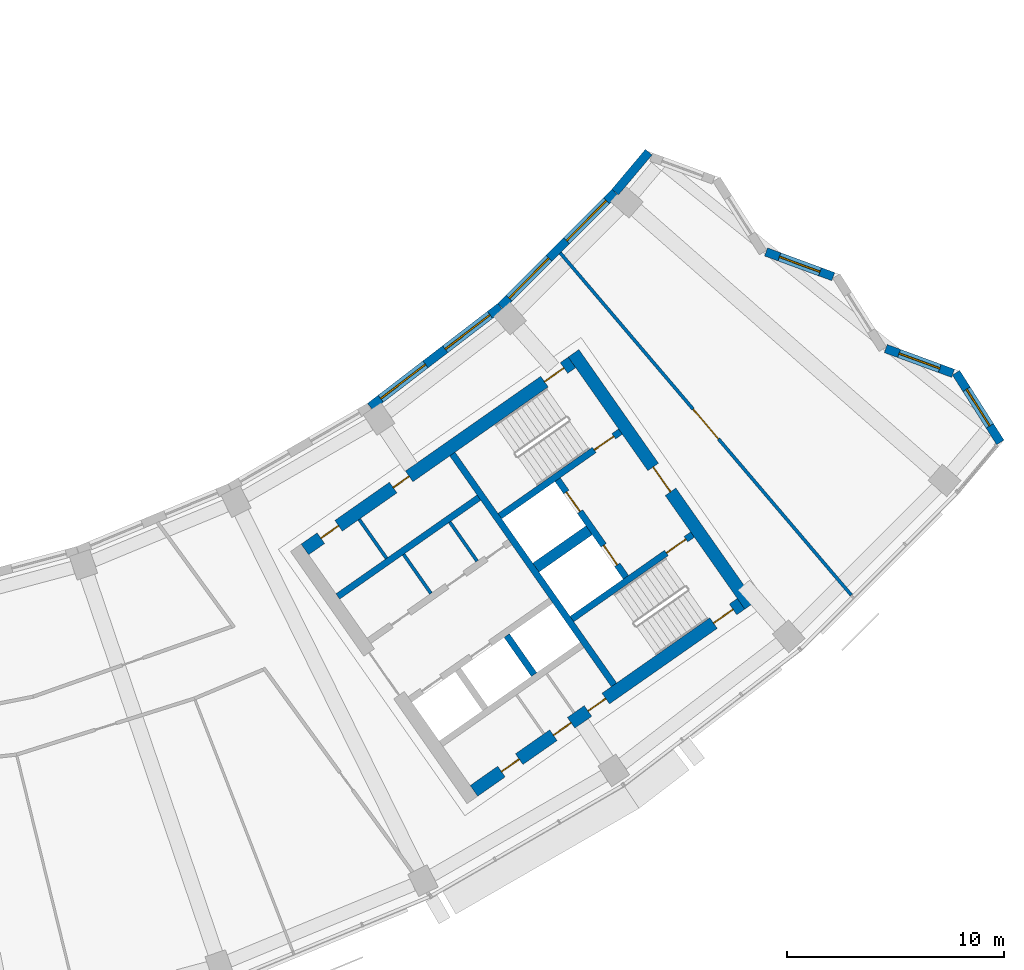
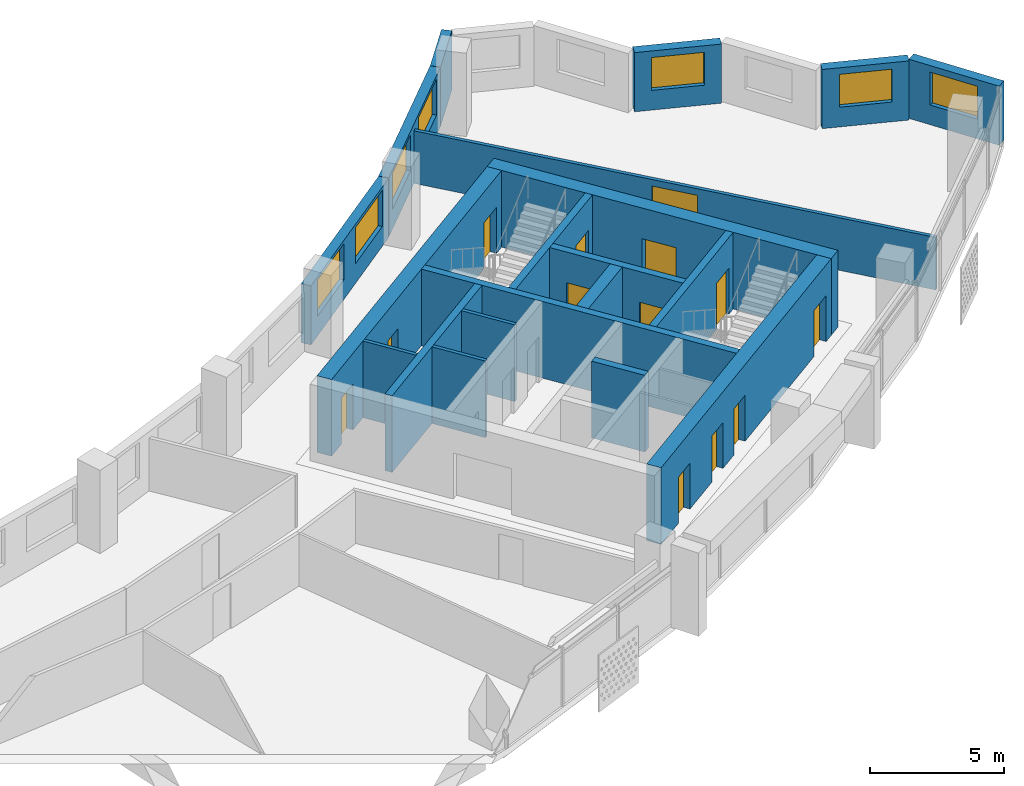
# One storey, part 7 of 27: 20 walls, 13 doors, 7 windows, 20 openings.
"""IFC4 building model written with IfcOpenShell, lengths in metres."""

from ifc_helpers import new_model, si_unit, direction, frame, frame_2d, origin, place, context, subcontext, project, spatial, rectangle, extrude, material, layer, layer_set, type_object, element, fill, save


model = new_model("IFC4")

# Units and contexts
model_context = context("Model", 3, precision=1e-05, world=origin(), true_north=direction((0.0, 1.0)))
body_context = subcontext(model_context, "Body", "Model", "MODEL_VIEW")
ifc_project = project(units=[si_unit("LENGTHUNIT", "METRE"), si_unit("AREAUNIT", "SQUARE_METRE"), si_unit("VOLUMEUNIT", "CUBIC_METRE"), si_unit("PLANEANGLEUNIT", "RADIAN"), si_unit("MASSUNIT", "GRAM", prefix="KILO")], contexts=[model_context])

# Site, building, storey
site_placement = place(None, origin())
site = spatial("IfcSite", under=ifc_project, at=site_placement, CompositionType="ELEMENT")
building_placement = place(site_placement, origin())
building = spatial("IfcBuilding", under=site, at=building_placement, Name="Qamariyya Broadcast Tower", CompositionType="ELEMENT")
storey_placement = place(building_placement, frame((0.0, 0.0, 237.89990234375)))
storey = spatial("IfcBuildingStorey", under=building, at=storey_placement, Name="L57", CompositionType="ELEMENT", Elevation=237.89990234375)

# Wall, opening, door
ifc_material_1 = material(Name="Concrete C60/75", Category="concrete")
ifc_layer_1 = layer(ifc_material_1, 0.60009765625)
ifc_layer_set_1 = layer_set([ifc_layer_1], Name="Core wall 600 mm Concrete C60/75")
wall_type_1 = type_object("IfcWallType", Name="Core wall 600 mm Concrete C60/75", PredefinedType="SHEAR", material=ifc_layer_set_1)
wall_1_placement = place(storey_placement, frame((49.4833984375, -57.031494140625, 0.0), z_axis=(0.0, 0.0, 1.0), x_axis=(-0.573560421458, 0.819163257805, 0.0)))
wall_1 = element("IfcWall", 1, at=wall_1_placement, inside=storey, type_object=wall_type_1, Name="k-E-L57-WH", PredefinedType="SHEAR", context=body_context, shape_type="SweptSolid", body=[
    extrude(rectangle(XDim=14.199951171875, YDim=0.60009765625, at=frame_2d((7.10009765625, 0.0))), origin(), (0.0, 0.0, 1.0), 3.5),
])
opening_1_placement = place(wall_1_placement, frame((6.39990234375, 0.0, 0.0)))
opening_1 = element("IfcOpeningElement", 2, at=opening_1_placement, cuts=wall_1, Name="Opening KD2-E1", PredefinedType="OPENING", context=body_context, shape_type="SweptSolid", body=[
    extrude(rectangle(XDim=1.39990234375, YDim=2.10009765625, at=frame_2d((0.699951171875, 1.050048828125))), frame((0.0, 0.31005859375, 0.0), z_axis=(0.0, -1.0, 0.0), x_axis=(1.0, 0.0, 0.0)), (0.0, 0.0, 1.0), 0.6201171875),
])
ifc_material_2 = material(Name="Steel fire-resisting door leaf", Category="steel")
door_type_1 = type_object("IfcDoorType", Name="Fire-fighting lobby door KD2", OperationType="DOUBLE_DOOR_SINGLE_SWING", PredefinedType="DOOR", material=ifc_material_2)
door_1_placement = place(opening_1_placement, origin())
door_1 = element("IfcDoor", 3, at=door_1_placement, inside=storey, type_object=door_type_1, Name="k-E-L57-WH-D14", OperationType="DOUBLE_DOOR_SINGLE_SWING", OverallHeight=2.10009765625, OverallWidth=1.39990234375, PredefinedType="DOOR", context=body_context, shape_type="SweptSolid", body=[
    extrude(rectangle(XDim=1.39990234375, YDim=2.10009765625, at=frame_2d((0.699951171875, 1.050048828125))), frame((0.0, 0.02490234375, 0.0), z_axis=(0.0, -1.0, 0.0), x_axis=(1.0, 0.0, 0.0)), (0.0, 0.0, 1.0), 0.050048828125),
])
fill(opening_1, door_1)

# Wall, openings, doors
wall_2_placement = place(storey_placement, frame((28.940673828125, -54.447021484375, 0.0), z_axis=(0.0, 0.0, 1.0), x_axis=(0.819153391756, 0.573574511963, 0.0)))
wall_2 = element("IfcWall", 4, at=wall_2_placement, inside=storey, type_object=wall_type_1, Name="k-E-L57-WI", PredefinedType="SHEAR", context=body_context, shape_type="SweptSolid", body=[
    extrude(rectangle(XDim=15.04541015625, YDim=0.60009765625, at=frame_2d((7.522705078125, 0.0))), origin(), (0.0, 0.0, 1.0), 3.5),
])
opening_2_placement = place(wall_2_placement, frame((0.89990234375, 0.0, 0.0)))
opening_2 = element("IfcOpeningElement", 5, at=opening_2_placement, cuts=wall_2, Name="Opening KD7-E1", PredefinedType="OPENING", context=body_context, shape_type="SweptSolid", body=[
    extrude(rectangle(XDim=1.0, YDim=2.10009765625, at=frame_2d((0.5, 1.050048828125))), frame((0.0, 0.31005859375, 0.0), z_axis=(0.0, -1.0, 0.0), x_axis=(1.0, 0.0, 0.0)), (0.0, 0.0, 1.0), 0.6201171875),
])
opening_3_placement = place(wall_2_placement, frame((4.97509765625, 0.0, 0.0)))
opening_3 = element("IfcOpeningElement", 6, at=opening_3_placement, cuts=wall_2, Name="Opening KD5-E1", PredefinedType="OPENING", context=body_context, shape_type="SweptSolid", body=[
    extrude(rectangle(XDim=0.89990234375, YDim=2.10009765625, at=frame_2d((0.449951171875, 1.050048828125))), frame((0.0, 0.31005859375, 0.0), z_axis=(0.0, -1.0, 0.0), x_axis=(1.0, 0.0, 0.0)), (0.0, 0.0, 1.0), 0.6201171875),
])
opening_4_placement = place(wall_2_placement, frame((13.495361328125, 0.0, 0.0)))
opening_4 = element("IfcOpeningElement", 7, at=opening_4_placement, cuts=wall_2, Name="Opening KD1-E1", PredefinedType="OPENING", context=body_context, shape_type="SweptSolid", body=[
    extrude(rectangle(XDim=1.10009765625, YDim=2.10009765625, at=frame_2d((0.550048828125, 1.050048828125))), frame((0.0, 0.31005859375, 0.0), z_axis=(0.0, -1.0, 0.0), x_axis=(1.0, 0.0, 0.0)), (0.0, 0.0, 1.0), 0.6201171875),
])
door_type_2 = type_object("IfcDoorType", Name="Accessible toilet door KD7", OperationType="SINGLE_SWING_LEFT", PredefinedType="DOOR", material=ifc_material_2)
door_2_placement = place(opening_2_placement, origin())
door_2 = element("IfcDoor", 8, at=door_2_placement, inside=storey, type_object=door_type_2, Name="k-E-L57-WI-D7", OperationType="SINGLE_SWING_LEFT", OverallHeight=2.10009765625, OverallWidth=1.0, PredefinedType="DOOR", context=body_context, shape_type="SweptSolid", body=[
    extrude(rectangle(XDim=1.0, YDim=2.10009765625, at=frame_2d((0.5, 1.050048828125))), frame((0.0, 0.02490234375, 0.0), z_axis=(0.0, -1.0, 0.0), x_axis=(1.0, 0.0, 0.0)), (0.0, 0.0, 1.0), 0.050048828125),
])
fill(opening_2, door_2)
door_type_3 = type_object("IfcDoorType", Name="Stair door KD1", OperationType="SINGLE_SWING_LEFT", PredefinedType="DOOR", material=ifc_material_2)
door_3_placement = place(opening_4_placement, origin())
door_3 = element("IfcDoor", 9, at=door_3_placement, inside=storey, type_object=door_type_3, Name="k-E-L57-WI-D15", OperationType="SINGLE_SWING_RIGHT", OverallHeight=2.10009765625, OverallWidth=1.10009765625, PredefinedType="DOOR", context=body_context, shape_type="SweptSolid", body=[
    extrude(rectangle(XDim=1.10009765625, YDim=2.10009765625, at=frame_2d((0.550048828125, 1.050048828125))), frame((0.0, 0.02490234375, 0.0), z_axis=(0.0, -1.0, 0.0), x_axis=(1.0, 0.0, 0.0)), (0.0, 0.0, 1.0), 0.050048828125),
])
fill(opening_4, door_3)
door_type_4 = type_object("IfcDoorType", Name="Toilet door KD5", OperationType="SINGLE_SWING_LEFT", PredefinedType="DOOR", material=ifc_material_2)
door_4_placement = place(opening_3_placement, origin())
door_4 = element("IfcDoor", 10, at=door_4_placement, inside=storey, type_object=door_type_4, Name="k-E-L57-WI-D8", OperationType="SINGLE_SWING_RIGHT", OverallHeight=2.10009765625, OverallWidth=0.89990234375, PredefinedType="DOOR", context=body_context, shape_type="SweptSolid", body=[
    extrude(rectangle(XDim=0.89990234375, YDim=2.10009765625, at=frame_2d((0.449951171875, 1.050048828125))), frame((0.0, 0.02490234375, 0.0), z_axis=(0.0, -1.0, 0.0), x_axis=(1.0, 0.0, 0.0)), (0.0, 0.0, 1.0), 0.050048828125),
])
fill(opening_3, door_4)

wall_3_placement = place(storey_placement, frame((36.7412109375, -65.58740234375, 0.0), z_axis=(0.0, 0.0, 1.0), x_axis=(0.819153391756, 0.573574511963, 0.0)))
wall_3 = element("IfcWall", 11, at=wall_3_placement, inside=storey, type_object=wall_type_1, Name="k-E-L57-WO", PredefinedType="SHEAR", context=body_context, shape_type="SweptSolid", body=[
    extrude(rectangle(XDim=15.04541015625, YDim=0.60009765625, at=frame_2d((7.522705078125, 0.0))), origin(), (0.0, 0.0, 1.0), 3.5),
])
opening_5_placement = place(wall_3_placement, frame((1.550048828125, 0.0, 0.0)))
opening_5 = element("IfcOpeningElement", 12, at=opening_5_placement, cuts=wall_3, Name="Opening KD4-E2", PredefinedType="OPENING", context=body_context, shape_type="SweptSolid", body=[
    extrude(rectangle(XDim=1.0, YDim=2.10009765625, at=frame_2d((0.5, 1.050048828125))), frame((0.0, 0.31005859375, 0.0), z_axis=(0.0, -1.0, 0.0), x_axis=(1.0, 0.0, 0.0)), (0.0, 0.0, 1.0), 0.6201171875),
])
opening_6_placement = place(wall_3_placement, frame((4.47509765625, 0.0, 0.0)))
opening_6 = element("IfcOpeningElement", 13, at=opening_6_placement, cuts=wall_3, Name="Opening KD4-E3", PredefinedType="OPENING", context=body_context, shape_type="SweptSolid", body=[
    extrude(rectangle(XDim=1.0, YDim=2.10009765625, at=frame_2d((0.5, 1.050048828125))), frame((0.0, 0.31005859375, 0.0), z_axis=(0.0, -1.0, 0.0), x_axis=(1.0, 0.0, 0.0)), (0.0, 0.0, 1.0), 0.6201171875),
])
opening_7_placement = place(wall_3_placement, frame((6.425048828125, 0.0, 0.0)))
opening_7 = element("IfcOpeningElement", 14, at=opening_7_placement, cuts=wall_3, Name="Opening KD4-E4", PredefinedType="OPENING", context=body_context, shape_type="SweptSolid", body=[
    extrude(rectangle(XDim=1.0, YDim=2.10009765625, at=frame_2d((0.5, 1.050048828125))), frame((0.0, 0.31005859375, 0.0), z_axis=(0.0, -1.0, 0.0), x_axis=(1.0, 0.0, 0.0)), (0.0, 0.0, 1.0), 0.6201171875),
])
opening_8_placement = place(wall_3_placement, frame((13.495361328125, 0.0, 0.0)))
opening_8 = element("IfcOpeningElement", 15, at=opening_8_placement, cuts=wall_3, Name="Opening KD1-E3", PredefinedType="OPENING", context=body_context, shape_type="SweptSolid", body=[
    extrude(rectangle(XDim=1.10009765625, YDim=2.10009765625, at=frame_2d((0.550048828125, 1.050048828125))), frame((0.0, 0.31005859375, 0.0), z_axis=(0.0, -1.0, 0.0), x_axis=(1.0, 0.0, 0.0)), (0.0, 0.0, 1.0), 0.6201171875),
])
door_type_5 = type_object("IfcDoorType", Name="Riser and plant door KD4", OperationType="SINGLE_SWING_LEFT", PredefinedType="DOOR", material=ifc_material_2)
door_5_placement = place(opening_5_placement, origin())
door_5 = element("IfcDoor", 16, at=door_5_placement, inside=storey, type_object=door_type_5, Name="k-E-L57-WO-D9", OperationType="SINGLE_SWING_LEFT", OverallHeight=2.10009765625, OverallWidth=1.0, PredefinedType="DOOR", context=body_context, shape_type="SweptSolid", body=[
    extrude(rectangle(XDim=1.0, YDim=2.10009765625, at=frame_2d((0.5, 1.050048828125))), frame((0.0, 0.02490234375, 0.0), z_axis=(0.0, -1.0, 0.0), x_axis=(1.0, 0.0, 0.0)), (0.0, 0.0, 1.0), 0.050048828125),
])
fill(opening_5, door_5)
door_6_placement = place(opening_6_placement, origin())
door_6 = element("IfcDoor", 17, at=door_6_placement, inside=storey, type_object=door_type_5, Name="k-E-L57-WO-D10", OperationType="SINGLE_SWING_RIGHT", OverallHeight=2.10009765625, OverallWidth=1.0, PredefinedType="DOOR", context=body_context, shape_type="SweptSolid", body=[
    extrude(rectangle(XDim=1.0, YDim=2.10009765625, at=frame_2d((0.5, 1.050048828125))), frame((0.0, 0.02490234375, 0.0), z_axis=(0.0, -1.0, 0.0), x_axis=(1.0, 0.0, 0.0)), (0.0, 0.0, 1.0), 0.050048828125),
])
fill(opening_6, door_6)
door_7_placement = place(opening_7_placement, origin())
door_7 = element("IfcDoor", 18, at=door_7_placement, inside=storey, type_object=door_type_5, Name="k-E-L57-WO-D11", OperationType="SINGLE_SWING_LEFT", OverallHeight=2.10009765625, OverallWidth=1.0, PredefinedType="DOOR", context=body_context, shape_type="SweptSolid", body=[
    extrude(rectangle(XDim=1.0, YDim=2.10009765625, at=frame_2d((0.5, 1.050048828125))), frame((0.0, 0.02490234375, 0.0), z_axis=(0.0, -1.0, 0.0), x_axis=(1.0, 0.0, 0.0)), (0.0, 0.0, 1.0), 0.050048828125),
])
fill(opening_7, door_7)
door_8_placement = place(opening_8_placement, origin())
door_8 = element("IfcDoor", 19, at=door_8_placement, inside=storey, type_object=door_type_3, Name="k-E-L57-WO-D17", OperationType="SINGLE_SWING_LEFT", OverallHeight=2.10009765625, OverallWidth=1.10009765625, PredefinedType="DOOR", context=body_context, shape_type="SweptSolid", body=[
    extrude(rectangle(XDim=1.10009765625, YDim=2.10009765625, at=frame_2d((0.550048828125, 1.050048828125))), frame((0.0, 0.02490234375, 0.0), z_axis=(0.0, -1.0, 0.0), x_axis=(1.0, 0.0, 0.0)), (0.0, 0.0, 1.0), 0.050048828125),
])
fill(opening_8, door_8)

# Wall, opening, door
ifc_material_3 = material(Name="Gypsum board partition")
ifc_layer_2 = layer(ifc_material_3, 0.14990234375)
ifc_layer_set_2 = layer_set([ifc_layer_2], Name="Corridor partition 150 EI 60")
wall_type_2 = type_object("IfcWallType", Name="Corridor partition 150 EI 60", PredefinedType="PARTITIONING", material=ifc_layer_set_2)
wall_4_placement = place(storey_placement, frame((40.724853515625, -40.7705078125, 0.0), z_axis=(0.0, 0.0, 1.0), x_axis=(0.647962636986, -0.761672121762, 0.0)))
wall_4 = element("IfcWall", 20, at=wall_4_placement, inside=storey, type_object=wall_type_2, Name="Partition L57-029", PredefinedType="PARTITIONING", context=body_context, shape_type="SweptSolid", body=[
    extrude(rectangle(XDim=20.723388671875, YDim=0.14990234375, at=frame_2d((10.36181640625, 0.0))), origin(), (0.0, 0.0, 1.0), 2.400146484375),
])
opening_9_placement = place(wall_4_placement, frame((9.461669921875, 0.0, 0.0)))
opening_9 = element("IfcOpeningElement", 21, at=opening_9_placement, cuts=wall_4, Name="Opening L57-D14", PredefinedType="OPENING", context=body_context, shape_type="SweptSolid", body=[
    extrude(rectangle(XDim=1.800048828125, YDim=2.10009765625, at=frame_2d((0.89990234375, 1.050048828125))), frame((0.0, 0.0849609375, 0.0), z_axis=(0.0, -1.0, 0.0), x_axis=(1.0, 0.0, 0.0)), (0.0, 0.0, 1.0), 0.169921875),
])
ifc_material_4 = material(Name="Timber fire door leaf", Category="wood")
door_type_6 = type_object("IfcDoorType", Name="Double fire door 1800 x 2100 FD60", OperationType="NOTDEFINED", PredefinedType="DOOR", material=ifc_material_4)
door_9_placement = place(opening_9_placement, origin())
door_9 = element("IfcDoor", 22, at=door_9_placement, inside=storey, type_object=door_type_6, Name="Door L57-D14", OperationType="DOUBLE_DOOR_SINGLE_SWING", OverallHeight=2.10009765625, OverallWidth=1.800048828125, PredefinedType="DOOR", context=body_context, shape_type="SweptSolid", body=[
    extrude(rectangle(XDim=1.800048828125, YDim=2.10009765625, at=frame_2d((0.89990234375, 1.050048828125))), frame((0.0, 0.02490234375, 0.0), z_axis=(0.0, -1.0, 0.0), x_axis=(1.0, 0.0, 0.0)), (0.0, 0.0, 1.0), 0.050048828125),
])
fill(opening_9, door_9)

# Walls
ifc_layer_3 = layer(ifc_material_1, 0.5)
ifc_layer_set_3 = layer_set([ifc_layer_3], Name="Fire-fighting lobby divider wall 500 mm Concrete C60/75")
wall_type_3 = type_object("IfcWallType", Name="Fire-fighting lobby divider wall 500 mm Concrete C60/75", PredefinedType="SOLIDWALL", material=ifc_layer_set_3)
wall_5_placement = place(storey_placement, frame((39.59912109375, -55.28515625, 0.0), z_axis=(0.0, 0.0, 1.0), x_axis=(0.819136323161, 0.573598887793, 0.0)))
element("IfcWall", 23, at=wall_5_placement, inside=storey, type_object=wall_type_3, Name="k-E-L57-FD", PredefinedType="SOLIDWALL", context=body_context, shape_type="SweptSolid", body=[
    extrude(rectangle(XDim=2.999755859375, YDim=0.5, at=frame_2d((1.5, 0.0))), origin(), (0.0, 0.0, 1.0), 3.5),
])
ifc_material_5 = material(Name="Gypsum board partition on steel studs", Category="steel")
ifc_layer_4 = layer(ifc_material_5, 0.14990234375)
ifc_layer_set_4 = layer_set([ifc_layer_4], Name="Gypsum board partition 150 mm")
wall_type_4 = type_object("IfcWallType", Name="Gypsum board partition 150 mm", PredefinedType="PARTITIONING", material=ifc_layer_set_4)
for number, where, z_axis, x_axis, name in (
    (24, (34.757568359375, -56.477783203125, 0.0), (0.0, 0.0, 1.0), (-0.573633636671, 0.819111989218, 0.0), "k-E-L57-NC360"),
    (25, (36.88720703125, -54.986572265625, 0.0), (0.0, 0.0, 1.0), (-0.573507030513, 0.819200638399, 0.0), "k-E-L57-NC620"),
    (26, (32.709228515625, -54.860107421875, 0.0), (0.0, 0.0, 1.0), (-0.573633636671, 0.819111989218, 0.0), "k-E-L57-NP285"),
):
    element("IfcWall", number, at=place(storey_placement, frame(where, z_axis=z_axis, x_axis=x_axis)), inside=storey, type_object=wall_type_4, Name=name, PredefinedType="PARTITIONING", context=body_context, shape_type="SweptSolid", body=[
        extrude(rectangle(XDim=2.199951171875, YDim=0.14990234375, at=frame_2d((1.10009765625, 0.0))), origin(), (0.0, 0.0, 1.0), 3.5),
    ])
ifc_layer_5 = layer(ifc_material_1, 0.300048828125)
ifc_layer_set_5 = layer_set([ifc_layer_5], Name="Lift shaft wall 300 mm Concrete C60/75")
wall_type_5 = type_object("IfcWallType", Name="Lift shaft wall 300 mm Concrete C60/75", PredefinedType="SOLIDWALL", material=ifc_layer_set_5)
wall_6_placement = place(storey_placement, frame((43.204345703125, -60.69580078125, 0.0), z_axis=(0.0, 0.0, 1.0), x_axis=(-0.573571992966, 0.819155155563, 0.0)))
element("IfcWall", 27, at=wall_6_placement, inside=storey, type_object=wall_type_5, Name="k-E-L57-WL", PredefinedType="SOLIDWALL", context=body_context, shape_type="SweptSolid", body=[
    extrude(rectangle(XDim=13.000244140625, YDim=0.300048828125, at=frame_2d((6.5, 0.0))), origin(), (0.0, 0.0, 1.0), 3.5),
])
wall_7_placement = place(storey_placement, frame((30.460693359375, -56.61767578125, 0.0), z_axis=(0.0, 0.0, 1.0), x_axis=(0.819142461705, 0.573590121456, 0.0)))
element("IfcWall", 28, at=wall_7_placement, inside=storey, type_object=wall_type_5, Name="k-E-L57-NB0", PredefinedType="SOLIDWALL", context=body_context, shape_type="SweptSolid", body=[
    extrude(rectangle(XDim=7.949951171875, YDim=0.300048828125, at=frame_2d((3.97509765625, 0.0))), origin(), (0.0, 0.0, 1.0), 3.5),
])
wall_8_placement = place(storey_placement, frame((38.255859375, -58.423095703125, 0.0), z_axis=(0.0, 0.0, 1.0), x_axis=(0.573633636671, -0.819111989218, 0.0)))
element("IfcWall", 29, at=wall_8_placement, inside=storey, type_object=wall_type_5, Name="k-E-L57-SD1", PredefinedType="SOLIDWALL", context=body_context, shape_type="SweptSolid", body=[
    extrude(rectangle(XDim=2.199951171875, YDim=0.300048828125, at=frame_2d((1.10009765625, 0.0))), origin(), (0.0, 0.0, 1.0), 3.5),
])

# Wall, opening, door
wall_9_placement = place(storey_placement, frame((37.935546875, -52.90966796875, 0.0), z_axis=(0.0, 0.0, 1.0), x_axis=(0.819147518138, 0.57358290031, 0.0)))
wall_9 = element("IfcWall", 30, at=wall_9_placement, inside=storey, type_object=wall_type_5, Name="k-E-L57-NW", PredefinedType="SOLIDWALL", context=body_context, shape_type="SweptSolid", body=[
    extrude(rectangle(XDim=6.79541015625, YDim=0.300048828125, at=frame_2d((3.397705078125, 0.0))), origin(), (0.0, 0.0, 1.0), 3.5),
])
opening_10_placement = place(wall_9_placement, frame((5.3203125, 0.0, 0.0)))
opening_10 = element("IfcOpeningElement", 31, at=opening_10_placement, cuts=wall_9, Name="Opening KD1-E2", PredefinedType="OPENING", context=body_context, shape_type="SweptSolid", body=[
    extrude(rectangle(XDim=1.10009765625, YDim=2.10009765625, at=frame_2d((0.550048828125, 1.050048828125))), frame((0.0, 0.159912109375, 0.0), z_axis=(0.0, -1.0, 0.0), x_axis=(1.0, 0.0, 0.0)), (0.0, 0.0, 1.0), 0.320068359375),
])
door_10_placement = place(opening_10_placement, origin())
door_10 = element("IfcDoor", 32, at=door_10_placement, inside=storey, type_object=door_type_3, Name="k-E-L57-NW-D16", OperationType="SINGLE_SWING_RIGHT", OverallHeight=2.10009765625, OverallWidth=1.10009765625, PredefinedType="DOOR", context=body_context, shape_type="SweptSolid", body=[
    extrude(rectangle(XDim=1.10009765625, YDim=2.10009765625, at=frame_2d((0.550048828125, 1.050048828125))), frame((0.0, 0.02490234375, 0.0), z_axis=(0.0, -1.0, 0.0), x_axis=(1.0, 0.0, 0.0)), (0.0, 0.0, 1.0), 0.050048828125),
])
fill(opening_10, door_10)

wall_10_placement = place(storey_placement, frame((41.262451171875, -57.66064453125, 0.0), z_axis=(0.0, 0.0, 1.0), x_axis=(0.819164398642, 0.573558792102, 0.0)))
wall_10 = element("IfcWall", 33, at=wall_10_placement, inside=storey, type_object=wall_type_5, Name="k-E-L57-SW", PredefinedType="SOLIDWALL", context=body_context, shape_type="SweptSolid", body=[
    extrude(rectangle(XDim=6.795166015625, YDim=0.300048828125, at=frame_2d((3.3974609375, 0.0))), origin(), (0.0, 0.0, 1.0), 3.5),
])
opening_11_placement = place(wall_10_placement, frame((5.3203125, 0.0, 0.0)))
opening_11 = element("IfcOpeningElement", 34, at=opening_11_placement, cuts=wall_10, Name="Opening KD1-E4", PredefinedType="OPENING", context=body_context, shape_type="SweptSolid", body=[
    extrude(rectangle(XDim=1.10009765625, YDim=2.10009765625, at=frame_2d((0.550048828125, 1.050048828125))), frame((0.0, 0.159912109375, 0.0), z_axis=(0.0, -1.0, 0.0), x_axis=(1.0, 0.0, 0.0)), (0.0, 0.0, 1.0), 0.320068359375),
])
door_11_placement = place(opening_11_placement, origin())
door_11 = element("IfcDoor", 35, at=door_11_placement, inside=storey, type_object=door_type_3, Name="k-E-L57-SW-D18", OperationType="SINGLE_SWING_RIGHT", OverallHeight=2.10009765625, OverallWidth=1.10009765625, PredefinedType="DOOR", context=body_context, shape_type="SweptSolid", body=[
    extrude(rectangle(XDim=1.10009765625, YDim=2.10009765625, at=frame_2d((0.550048828125, 1.050048828125))), frame((0.0, 0.02490234375, 0.0), z_axis=(0.0, -1.0, 0.0), x_axis=(1.0, 0.0, 0.0)), (0.0, 0.0, 1.0), 0.050048828125),
])
fill(opening_11, door_11)

# Wall, openings, doors
wall_11_placement = place(storey_placement, frame((43.756591796875, -55.731201171875, 0.0), z_axis=(0.0, 0.0, 1.0), x_axis=(-0.573536818435, 0.819179783625, 0.0)))
wall_11 = element("IfcWall", 36, at=wall_11_placement, inside=storey, type_object=wall_type_5, Name="k-E-L57-FF", PredefinedType="SOLIDWALL", context=body_context, shape_type="SweptSolid", body=[
    extrude(rectangle(XDim=5.500244140625, YDim=0.300048828125, at=frame_2d((2.75, 0.0))), origin(), (0.0, 0.0, 1.0), 3.5),
])
opening_12_placement = place(wall_11_placement, frame((0.699951171875, 0.0, 0.0)))
opening_12 = element("IfcOpeningElement", 37, at=opening_12_placement, cuts=wall_11, Name="Opening LD", PredefinedType="OPENING", context=body_context, shape_type="SweptSolid", body=[
    extrude(rectangle(XDim=1.10009765625, YDim=2.10009765625, at=frame_2d((0.550048828125, 1.050048828125))), frame((0.0, 0.159912109375, 0.0), z_axis=(0.0, -1.0, 0.0), x_axis=(1.0, 0.0, 0.0)), (0.0, 0.0, 1.0), 0.320068359375),
])
opening_13_placement = place(wall_11_placement, frame((3.699951171875, 0.0, 0.0)))
opening_13 = element("IfcOpeningElement", 38, at=opening_13_placement, cuts=wall_11, Name="Opening LD", PredefinedType="OPENING", context=body_context, shape_type="SweptSolid", body=[
    extrude(rectangle(XDim=1.10009765625, YDim=2.10009765625, at=frame_2d((0.550048828125, 1.050048828125))), frame((0.0, 0.159912109375, 0.0), z_axis=(0.0, -1.0, 0.0), x_axis=(1.0, 0.0, 0.0)), (0.0, 0.0, 1.0), 0.320068359375),
])
door_type_7 = type_object("IfcDoorType", Name="Lift landing door LD", OperationType="DOUBLE_DOOR_SLIDING", PredefinedType="DOOR", material=ifc_material_2)
door_12_placement = place(opening_12_placement, origin())
door_12 = element("IfcDoor", 39, at=door_12_placement, inside=storey, type_object=door_type_7, Name="k-E-L57-FF-D12", OperationType="DOUBLE_DOOR_SLIDING", OverallHeight=2.10009765625, OverallWidth=1.10009765625, PredefinedType="DOOR", context=body_context, shape_type="SweptSolid", body=[
    extrude(rectangle(XDim=1.10009765625, YDim=2.10009765625, at=frame_2d((0.550048828125, 1.050048828125))), frame((0.0, 0.02490234375, 0.0), z_axis=(0.0, -1.0, 0.0), x_axis=(1.0, 0.0, 0.0)), (0.0, 0.0, 1.0), 0.050048828125),
])
fill(opening_12, door_12)
door_13_placement = place(opening_13_placement, origin())
door_13 = element("IfcDoor", 40, at=door_13_placement, inside=storey, type_object=door_type_7, Name="k-E-L57-FF-D13", OperationType="DOUBLE_DOOR_SLIDING", OverallHeight=2.10009765625, OverallWidth=1.10009765625, PredefinedType="DOOR", context=body_context, shape_type="SweptSolid", body=[
    extrude(rectangle(XDim=1.10009765625, YDim=2.10009765625, at=frame_2d((0.550048828125, 1.050048828125))), frame((0.0, 0.02490234375, 0.0), z_axis=(0.0, -1.0, 0.0), x_axis=(1.0, 0.0, 0.0)), (0.0, 0.0, 1.0), 0.050048828125),
])
fill(opening_13, door_13)

# Wall, opening, window
ifc_material_6 = material(Name="Terracotta", Category="masonry")
ifc_layer_6 = layer(ifc_material_6, 0.39990234375)
ifc_layer_set_6 = layer_set([ifc_layer_6], Name="Terracotta clad wall 400")
wall_type_6 = type_object("IfcWallType", Name="Terracotta clad wall 400", PredefinedType="SOLIDWALL", material=ifc_layer_set_6)
wall_12_placement = place(storey_placement, frame((61.029296875, -49.510009765625, 0.0), z_axis=(0.0, 0.0, 1.0), x_axis=(-0.536688842053, 0.84378023609, 0.0)))
wall_12 = element("IfcWall", 41, at=wall_12_placement, inside=storey, type_object=wall_type_6, Name="e-wl-L57-capE0", PredefinedType="SOLIDWALL", context=body_context, shape_type="SweptSolid", body=[
    extrude(rectangle(XDim=3.808837890625, YDim=0.39990234375, at=frame_2d((1.904296875, 0.0))), origin(), (0.0, 0.0, 1.0), 2.7001953125),
])
opening_14_placement = place(wall_12_placement, frame((0.904296875, 0.0, 0.89990234375)))
opening_14 = element("IfcOpeningElement", 42, at=opening_14_placement, cuts=wall_12, Name="Opening W4", PredefinedType="OPENING", context=body_context, shape_type="SweptSolid", body=[
    extrude(rectangle(XDim=2.0, YDim=1.5, at=frame_2d((1.0, 0.75))), frame((0.0, 0.2099609375, 0.0), z_axis=(0.0, -1.0, 0.0), x_axis=(1.0, 0.0, 0.0)), (0.0, 0.0, 1.0), 0.419921875),
])
ifc_material_7 = material(Name="Clear low-e double glazed unit in aluminium frame", Category="aluminium")
window_type_1 = type_object("IfcWindowType", Name="Horn bay window 2000 x 1500", PartitioningType="SINGLE_PANEL", PredefinedType="WINDOW", material=ifc_material_7)
window_1_placement = place(opening_14_placement, origin())
window_1 = element("IfcWindow", 43, at=window_1_placement, inside=storey, type_object=window_type_1, Name="e-w-L57-capE0", OverallHeight=1.5, OverallWidth=2.0, PartitioningType="SINGLE_PANEL", PredefinedType="WINDOW", context=body_context, shape_type="SweptSolid", body=[
    extrude(rectangle(XDim=2.0, YDim=1.5, at=frame_2d((1.0, 0.75))), frame((0.0, 0.030029296875, 0.0), z_axis=(0.0, -1.0, 0.0), x_axis=(1.0, 0.0, 0.0)), (0.0, 0.0, 1.0), 0.06005859375),
])
fill(opening_14, window_1)

wall_13_placement = place(storey_placement, frame((58.846435546875, -46.32275390625, 0.0), z_axis=(0.0, 0.0, 1.0), x_axis=(-0.938547240724, 0.345150803172, 0.0)))
wall_13 = element("IfcWall", 44, at=wall_13_placement, inside=storey, type_object=wall_type_6, Name="e-wl-L57-capE1", PredefinedType="SOLIDWALL", context=body_context, shape_type="SweptSolid", body=[
    extrude(rectangle(XDim=3.305419921875, YDim=0.39990234375, at=frame_2d((1.65283203125, 0.0))), origin(), (0.0, 0.0, 1.0), 2.7001953125),
])
opening_15_placement = place(wall_13_placement, frame((0.652587890625, 0.0, 0.89990234375)))
opening_15 = element("IfcOpeningElement", 45, at=opening_15_placement, cuts=wall_13, Name="Opening W4", PredefinedType="OPENING", context=body_context, shape_type="SweptSolid", body=[
    extrude(rectangle(XDim=2.0, YDim=1.5, at=frame_2d((1.0, 0.75))), frame((0.0, 0.2099609375, 0.0), z_axis=(0.0, -1.0, 0.0), x_axis=(1.0, 0.0, 0.0)), (0.0, 0.0, 1.0), 0.419921875),
])
window_2_placement = place(opening_15_placement, origin())
window_2 = element("IfcWindow", 46, at=window_2_placement, inside=storey, type_object=window_type_1, Name="e-w-L57-capE1", OverallHeight=1.5, OverallWidth=2.0, PartitioningType="SINGLE_PANEL", PredefinedType="WINDOW", context=body_context, shape_type="SweptSolid", body=[
    extrude(rectangle(XDim=2.0, YDim=1.5, at=frame_2d((1.0, 0.75))), frame((0.0, 0.030029296875, 0.0), z_axis=(0.0, -1.0, 0.0), x_axis=(1.0, 0.0, 0.0)), (0.0, 0.0, 1.0), 0.06005859375),
])
fill(opening_15, window_2)

wall_14_placement = place(storey_placement, frame((53.321044921875, -41.862548828125, 0.0), z_axis=(0.0, 0.0, 1.0), x_axis=(-0.938559901331, 0.345116374015, 0.0)))
wall_14 = element("IfcWall", 47, at=wall_14_placement, inside=storey, type_object=wall_type_6, Name="e-wl-L57-capE3", PredefinedType="SOLIDWALL", context=body_context, shape_type="SweptSolid", body=[
    extrude(rectangle(XDim=3.304443359375, YDim=0.39990234375, at=frame_2d((1.65234375, 0.0))), origin(), (0.0, 0.0, 1.0), 2.7001953125),
])
opening_16_placement = place(wall_14_placement, frame((0.652099609375, 0.0, 0.89990234375)))
opening_16 = element("IfcOpeningElement", 48, at=opening_16_placement, cuts=wall_14, Name="Opening W4", PredefinedType="OPENING", context=body_context, shape_type="SweptSolid", body=[
    extrude(rectangle(XDim=2.0, YDim=1.5, at=frame_2d((1.0, 0.75))), frame((0.0, 0.2099609375, 0.0), z_axis=(0.0, -1.0, 0.0), x_axis=(1.0, 0.0, 0.0)), (0.0, 0.0, 1.0), 0.419921875),
])
window_3_placement = place(opening_16_placement, origin())
window_3 = element("IfcWindow", 49, at=window_3_placement, inside=storey, type_object=window_type_1, Name="e-w-L57-capE3", OverallHeight=1.5, OverallWidth=2.0, PartitioningType="SINGLE_PANEL", PredefinedType="WINDOW", context=body_context, shape_type="SweptSolid", body=[
    extrude(rectangle(XDim=2.0, YDim=1.5, at=frame_2d((1.0, 0.75))), frame((0.0, 0.030029296875, 0.0), z_axis=(0.0, -1.0, 0.0), x_axis=(1.0, 0.0, 0.0)), (0.0, 0.0, 1.0), 0.06005859375),
])
fill(opening_16, window_3)

# Wall, openings, windows
wall_15_placement = place(storey_placement, frame((37.965576171875, -43.25341796875, 0.0), z_axis=(0.0, 0.0, 1.0), x_axis=(-0.793356365089, -0.608757486995, 0.0)))
wall_15 = element("IfcWall", 50, at=wall_15_placement, inside=storey, type_object=wall_type_6, Name="e-wl-L57-in130", PredefinedType="SOLIDWALL", context=body_context, shape_type="SweptSolid", body=[
    extrude(rectangle(XDim=7.578125, YDim=0.39990234375, at=frame_2d((3.7890625, 0.0))), origin(), (0.0, 0.0, 1.0), 2.7001953125),
])
opening_17_placement = place(wall_15_placement, frame((4.364501953125, 0.0, 0.89990234375)))
opening_17 = element("IfcOpeningElement", 51, at=opening_17_placement, cuts=wall_15, Name="Opening W1", PredefinedType="OPENING", context=body_context, shape_type="SweptSolid", body=[
    extrude(rectangle(XDim=2.60009765625, YDim=1.64990234375, at=frame_2d((1.300048828125, 0.824951171875))), frame((0.0, 0.2099609375, 0.0), z_axis=(0.0, -1.0, 0.0), x_axis=(1.0, 0.0, 0.0)), (0.0, 0.0, 1.0), 0.419921875),
])
opening_18_placement = place(wall_15_placement, frame((0.613525390625, 0.0, 0.89990234375)))
opening_18 = element("IfcOpeningElement", 52, at=opening_18_placement, cuts=wall_15, Name="Opening W1", PredefinedType="OPENING", context=body_context, shape_type="SweptSolid", body=[
    extrude(rectangle(XDim=2.60009765625, YDim=1.64990234375, at=frame_2d((1.300048828125, 0.824951171875))), frame((0.0, 0.2099609375, 0.0), z_axis=(0.0, -1.0, 0.0), x_axis=(1.0, 0.0, 0.0)), (0.0, 0.0, 1.0), 0.419921875),
])
window_type_2 = type_object("IfcWindowType", Name="Ribbon window 2600 x 1650", PartitioningType="SINGLE_PANEL", PredefinedType="WINDOW", material=ifc_material_7)
window_4_placement = place(opening_17_placement, origin())
window_4 = element("IfcWindow", 53, at=window_4_placement, inside=storey, type_object=window_type_2, Name="e-w-L57-in13-0", OverallHeight=1.64990234375, OverallWidth=2.60009765625, PartitioningType="SINGLE_PANEL", PredefinedType="WINDOW", context=body_context, shape_type="SweptSolid", body=[
    extrude(rectangle(XDim=2.60009765625, YDim=1.64990234375, at=frame_2d((1.300048828125, 0.824951171875))), frame((0.0, 0.030029296875, 0.0), z_axis=(0.0, -1.0, 0.0), x_axis=(1.0, 0.0, 0.0)), (0.0, 0.0, 1.0), 0.06005859375),
])
fill(opening_17, window_4)
window_5_placement = place(opening_18_placement, origin())
window_5 = element("IfcWindow", 54, at=window_5_placement, inside=storey, type_object=window_type_2, Name="e-w-L57-in13-1", OverallHeight=1.64990234375, OverallWidth=2.60009765625, PartitioningType="SINGLE_PANEL", PredefinedType="WINDOW", context=body_context, shape_type="SweptSolid", body=[
    extrude(rectangle(XDim=2.60009765625, YDim=1.64990234375, at=frame_2d((1.300048828125, 0.824951171875))), frame((0.0, 0.030029296875, 0.0), z_axis=(0.0, -1.0, 0.0), x_axis=(1.0, 0.0, 0.0)), (0.0, 0.0, 1.0), 0.06005859375),
])
fill(opening_18, window_5)

wall_16_placement = place(storey_placement, frame((43.242919921875, -37.971435546875, 0.0), z_axis=(0.0, 0.0, 1.0), x_axis=(-0.707106781187, -0.707106781187, 0.0)))
wall_16 = element("IfcWall", 55, at=wall_16_placement, inside=storey, type_object=wall_type_6, Name="e-wl-L57-in140", PredefinedType="SOLIDWALL", context=body_context, shape_type="SweptSolid", body=[
    extrude(rectangle(XDim=7.44091796875, YDim=0.39990234375, at=frame_2d((3.720458984375, 0.0))), origin(), (0.0, 0.0, 1.0), 2.7001953125),
])
opening_19_placement = place(wall_16_placement, frame((4.302978515625, 0.0, 0.89990234375)))
opening_19 = element("IfcOpeningElement", 56, at=opening_19_placement, cuts=wall_16, Name="Opening W1", PredefinedType="OPENING", context=body_context, shape_type="SweptSolid", body=[
    extrude(rectangle(XDim=2.60009765625, YDim=1.64990234375, at=frame_2d((1.300048828125, 0.824951171875))), frame((0.0, 0.2099609375, 0.0), z_axis=(0.0, -1.0, 0.0), x_axis=(1.0, 0.0, 0.0)), (0.0, 0.0, 1.0), 0.419921875),
])
opening_20_placement = place(wall_16_placement, frame((0.552001953125, 0.0, 0.89990234375)))
opening_20 = element("IfcOpeningElement", 57, at=opening_20_placement, cuts=wall_16, Name="Opening W1", PredefinedType="OPENING", context=body_context, shape_type="SweptSolid", body=[
    extrude(rectangle(XDim=2.60009765625, YDim=1.64990234375, at=frame_2d((1.300048828125, 0.824951171875))), frame((0.0, 0.2099609375, 0.0), z_axis=(0.0, -1.0, 0.0), x_axis=(1.0, 0.0, 0.0)), (0.0, 0.0, 1.0), 0.419921875),
])
window_6_placement = place(opening_19_placement, origin())
window_6 = element("IfcWindow", 58, at=window_6_placement, inside=storey, type_object=window_type_2, Name="e-w-L57-in14-0", OverallHeight=1.64990234375, OverallWidth=2.60009765625, PartitioningType="SINGLE_PANEL", PredefinedType="WINDOW", context=body_context, shape_type="SweptSolid", body=[
    extrude(rectangle(XDim=2.60009765625, YDim=1.64990234375, at=frame_2d((1.300048828125, 0.824951171875))), frame((0.0, 0.030029296875, 0.0), z_axis=(0.0, -1.0, 0.0), x_axis=(1.0, 0.0, 0.0)), (0.0, 0.0, 1.0), 0.06005859375),
])
fill(opening_19, window_6)
window_7_placement = place(opening_20_placement, origin())
window_7 = element("IfcWindow", 59, at=window_7_placement, inside=storey, type_object=window_type_2, Name="e-w-L57-in14-1", OverallHeight=1.64990234375, OverallWidth=2.60009765625, PartitioningType="SINGLE_PANEL", PredefinedType="WINDOW", context=body_context, shape_type="SweptSolid", body=[
    extrude(rectangle(XDim=2.60009765625, YDim=1.64990234375, at=frame_2d((1.300048828125, 0.824951171875))), frame((0.0, 0.030029296875, 0.0), z_axis=(0.0, -1.0, 0.0), x_axis=(1.0, 0.0, 0.0)), (0.0, 0.0, 1.0), 0.06005859375),
])
fill(opening_20, window_7)

# Wall
wall_17_placement = place(storey_placement, frame((44.80615234375, -36.117919921875, 0.0), z_axis=(0.0, 0.0, 1.0), x_axis=(-0.643867178169, -0.765137279758, 0.0)))
element("IfcWall", 60, at=wall_17_placement, inside=storey, type_object=wall_type_6, Name="e-wl-L57-in150", PredefinedType="SOLIDWALL", context=body_context, shape_type="SweptSolid", body=[
    extrude(rectangle(XDim=2.40771484375, YDim=0.39990234375, at=frame_2d((1.203857421875, 0.0))), origin(), (0.0, 0.0, 1.0), 2.7001953125),
])

save(model, "model.ifc")
